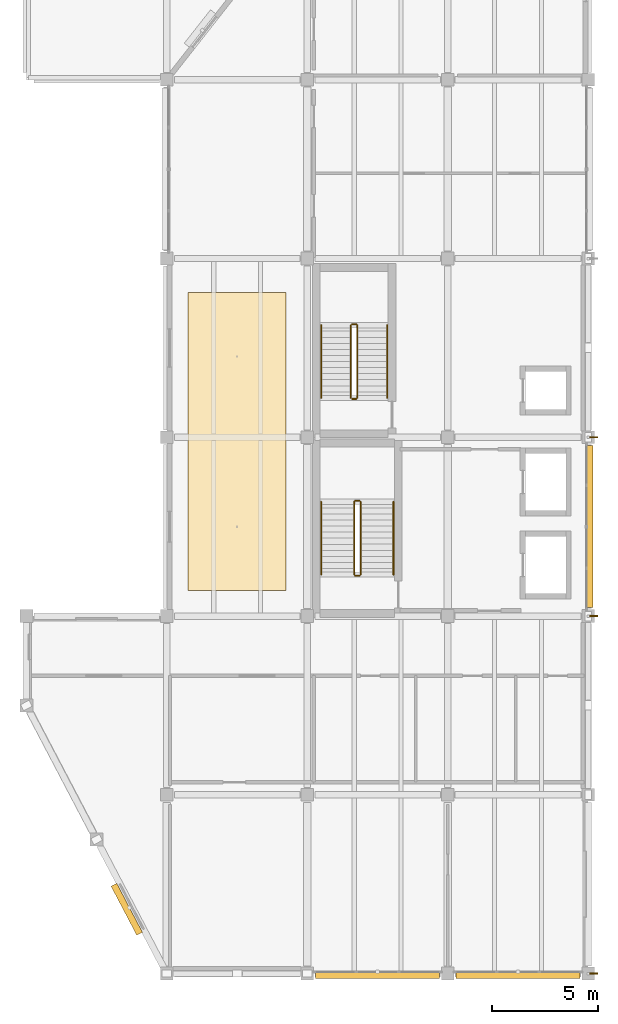
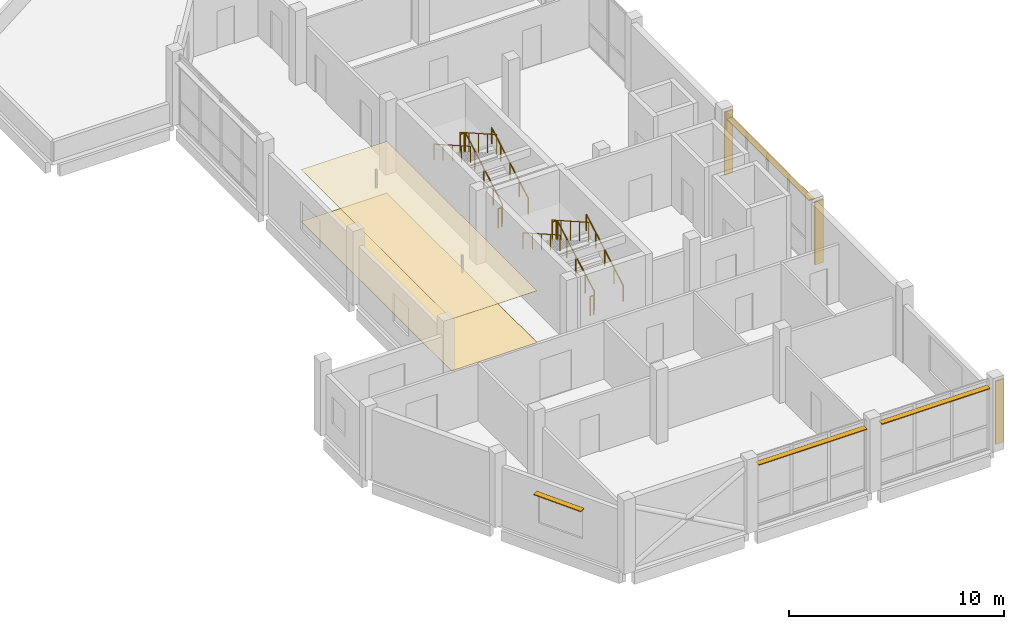
# One storey, part 11 of 12: 12 railings, 7 shading devices, 2 coverings.
"""IFC4 building model written with IfcOpenShell, lengths in metres."""

from ifc_helpers import new_model, si_unit, direction, frame, origin, origin_2d, place, context, subcontext, project, spatial, polyline, rectangle, circle, outline, extrude, material, layer, layer_set, type_object, element, save


model = new_model("IFC4")

# Units and contexts
model_context = context("Model", 3, precision=1e-05, world=origin(), true_north=direction((0.0, 1.0)))
body_context = subcontext(model_context, "Body", "Model", "MODEL_VIEW")
ifc_project = project(units=[si_unit("LENGTHUNIT", "METRE"), si_unit("AREAUNIT", "SQUARE_METRE"), si_unit("VOLUMEUNIT", "CUBIC_METRE"), si_unit("PLANEANGLEUNIT", "RADIAN"), si_unit("MASSUNIT", "GRAM", prefix="KILO")], contexts=[model_context])

# Site, building, storey
site_placement = place(None, origin())
site = spatial("IfcSite", under=ifc_project, at=site_placement, CompositionType="ELEMENT")
building_placement = place(site_placement, origin())
building = spatial("IfcBuilding", under=site, at=building_placement, Name="Qaldarim Faculty of Natural and Applied Sciences", CompositionType="ELEMENT")
storey_placement = place(building_placement, frame((0.0, 0.0, 31.199951171875)))
storey = spatial("IfcBuildingStorey", under=building, at=storey_placement, Name="L07", CompositionType="ELEMENT", Elevation=31.199951171875)

# Covering
ifc_material_1 = material(Name="Acoustic mineral fibre")
ifc_layer_1 = layer(ifc_material_1, 0.02001953125)
ifc_layer_set_1 = layer_set([ifc_layer_1], Name="Acoustic mineral fibre")
covering_type_1 = type_object("IfcCoveringType", Name="AcousticMineralCeiling-20", PredefinedType="CEILING", material=ifc_layer_set_1)
covering_1_placement = place(storey_placement, frame((0.0, 0.0, 2.949951171875)))
element("IfcCovering", 1, at=covering_1_placement, inside=storey, type_object=covering_type_1, Name="Acoustic corridor ceiling L07", PredefinedType="CEILING", context=body_context, shape_type="SweptSolid", body=[
    extrude(outline(polyline([(159.39990234375, 18.0), (164.0, 18.0), (164.0, 32.0), (159.39990234375, 32.0), (159.39990234375, 18.0)])), origin(), (0.0, 0.0, 1.0), 0.02001953125),
])

# Railings
ifc_material_2 = material(Name="Architectural stainless steel 316", Category="steel")
railing_type_1 = type_object("IfcRailingType", Name="GuardBalustrade-1100", PredefinedType="BALUSTRADE", material=ifc_material_2)
railing_1_placement = place(storey_placement, frame((167.5, 18.75, 0.16015625)))
element("IfcRailing", 2, at=railing_1_placement, inside=storey, type_object=railing_type_1, Name="ST-A1 L07 stair well guard 1", PredefinedType="BALUSTRADE", context=body_context, shape_type="SweptSolid", body=[
    extrude(circle(Radius=0.02392578125, at=origin_2d()), frame((0.0, 0.0, 1.076171875), z_axis=(0.0, 0.869805479697, 0.493394798806), x_axis=(-1.0, 0.0, 0.0)), (0.0, 0.0, 1.0), 3.931884765625),
    extrude(circle(Radius=0.02099609375, at=origin_2d()), origin(), (0.0, 0.0, 1.0), 1.052001953125),
    extrude(circle(Radius=0.02099609375, at=origin_2d()), frame((0.0, 0.85498046875, 0.48486328125)), (0.0, 0.0, 1.0), 1.052001953125),
    extrude(circle(Radius=0.02099609375, at=origin_2d()), frame((0.0, 1.7099609375, 0.969970703125)), (0.0, 0.0, 1.0), 1.052001953125),
    extrude(circle(Radius=0.02099609375, at=origin_2d()), frame((0.0, 2.56494140625, 1.455078125)), (0.0, 0.0, 1.0), 1.052001953125),
    extrude(circle(Radius=0.02099609375, at=origin_2d()), frame((0.0, 3.419921875, 1.93994140625)), (0.0, 0.0, 1.0), 1.052001953125),
])
railing_2_placement = place(storey_placement, frame((167.449951171875, 22.219970703125, 2.10009765625)))
element("IfcRailing", 3, at=railing_2_placement, inside=storey, type_object=railing_type_1, Name="ST-A1 L07 stair well guard 2", PredefinedType="BALUSTRADE", context=body_context, shape_type="SweptSolid", body=[
    extrude(circle(Radius=0.02392578125, at=origin_2d()), frame((0.0, 0.0, 1.076171875), z_axis=(-1.0, 0.0, 0.0), x_axis=(0.0, -1.0, 0.0)), (0.0, 0.0, 1.0), 0.199951171875),
    extrude(circle(Radius=0.02099609375, at=origin_2d()), origin(), (0.0, 0.0, 1.0), 1.052001953125),
    extrude(circle(Radius=0.02099609375, at=origin_2d()), frame((-0.199951171875, 0.0, 0.0)), (0.0, 0.0, 1.0), 1.052001953125),
])
railing_3_placement = place(storey_placement, frame((167.199951171875, 22.169921875, 2.260009765625)))
element("IfcRailing", 4, at=railing_3_placement, inside=storey, type_object=railing_type_1, Name="ST-A1 L07 stair well guard 3", PredefinedType="BALUSTRADE", context=body_context, shape_type="SweptSolid", body=[
    extrude(circle(Radius=0.02392578125, at=origin_2d()), frame((0.0, 0.0, 1.076171875), z_axis=(0.0, -0.869805479697, 0.493394798806), x_axis=(1.0, 0.0, 0.0)), (0.0, 0.0, 1.0), 3.931884765625),
    extrude(circle(Radius=0.02099609375, at=origin_2d()), origin(), (0.0, 0.0, 1.0), 1.052001953125),
    extrude(circle(Radius=0.02099609375, at=origin_2d()), frame((0.0, -0.85498046875, 0.48486328125)), (0.0, 0.0, 1.0), 1.052001953125),
    extrude(circle(Radius=0.02099609375, at=origin_2d()), frame((0.0, -1.7099609375, 0.969970703125)), (0.0, 0.0, 1.0), 1.052001953125),
    extrude(circle(Radius=0.02099609375, at=origin_2d()), frame((0.0, -2.56494140625, 1.455078125)), (0.0, 0.0, 1.0), 1.052001953125),
    extrude(circle(Radius=0.02099609375, at=origin_2d()), frame((0.0, -3.419921875, 1.93994140625)), (0.0, 0.0, 1.0), 1.052001953125),
])
railing_4_placement = place(storey_placement, frame((167.449951171875, 18.699951171875, 0.0)))
element("IfcRailing", 5, at=railing_4_placement, inside=storey, type_object=railing_type_1, Name="ST-A1 L07 stair well guard 4", PredefinedType="BALUSTRADE", context=body_context, shape_type="SweptSolid", body=[
    extrude(circle(Radius=0.02392578125, at=origin_2d()), frame((0.0, 0.0, 1.076171875), z_axis=(-1.0, 0.0, 0.0), x_axis=(0.0, -1.0, 0.0)), (0.0, 0.0, 1.0), 0.199951171875),
    extrude(circle(Radius=0.02099609375, at=origin_2d()), origin(), (0.0, 0.0, 1.0), 1.052001953125),
    extrude(circle(Radius=0.02099609375, at=origin_2d()), frame((-0.199951171875, 0.0, 0.0)), (0.0, 0.0, 1.0), 1.052001953125),
])
railing_5_placement = place(storey_placement, frame((167.35009765625, 27.050048828125, 0.16015625)))
element("IfcRailing", 6, at=railing_5_placement, inside=storey, type_object=railing_type_1, Name="ST-A2 L07 stair well guard 1", PredefinedType="BALUSTRADE", context=body_context, shape_type="SweptSolid", body=[
    extrude(circle(Radius=0.02392578125, at=origin_2d()), frame((0.0, 0.0, 1.076171875), z_axis=(0.0, 0.869805479697, 0.493394798806), x_axis=(-1.0, 0.0, 0.0)), (0.0, 0.0, 1.0), 3.931884765625),
    extrude(circle(Radius=0.02099609375, at=origin_2d()), origin(), (0.0, 0.0, 1.0), 1.052001953125),
    extrude(circle(Radius=0.02099609375, at=origin_2d()), frame((0.0, 0.85498046875, 0.48486328125)), (0.0, 0.0, 1.0), 1.052001953125),
    extrude(circle(Radius=0.02099609375, at=origin_2d()), frame((0.0, 1.7099609375, 0.969970703125)), (0.0, 0.0, 1.0), 1.052001953125),
    extrude(circle(Radius=0.02099609375, at=origin_2d()), frame((0.0, 2.56494140625, 1.455078125)), (0.0, 0.0, 1.0), 1.052001953125),
    extrude(circle(Radius=0.02099609375, at=origin_2d()), frame((0.0, 3.419921875, 1.93994140625)), (0.0, 0.0, 1.0), 1.052001953125),
])
railing_6_placement = place(storey_placement, frame((167.300048828125, 30.52001953125, 2.10009765625)))
element("IfcRailing", 7, at=railing_6_placement, inside=storey, type_object=railing_type_1, Name="ST-A2 L07 stair well guard 2", PredefinedType="BALUSTRADE", context=body_context, shape_type="SweptSolid", body=[
    extrude(circle(Radius=0.02392578125, at=origin_2d()), frame((0.0, 0.0, 1.076171875), z_axis=(-1.0, 0.0, 0.0), x_axis=(0.0, -1.0, 0.0)), (0.0, 0.0, 1.0), 0.199951171875),
    extrude(circle(Radius=0.02099609375, at=origin_2d()), origin(), (0.0, 0.0, 1.0), 1.052001953125),
    extrude(circle(Radius=0.02099609375, at=origin_2d()), frame((-0.199951171875, 0.0, 0.0)), (0.0, 0.0, 1.0), 1.052001953125),
])
railing_7_placement = place(storey_placement, frame((167.050048828125, 30.469970703125, 2.260009765625)))
element("IfcRailing", 8, at=railing_7_placement, inside=storey, type_object=railing_type_1, Name="ST-A2 L07 stair well guard 3", PredefinedType="BALUSTRADE", context=body_context, shape_type="SweptSolid", body=[
    extrude(circle(Radius=0.02392578125, at=origin_2d()), frame((0.0, 0.0, 1.076171875), z_axis=(0.0, -0.869805479697, 0.493394798806), x_axis=(1.0, 0.0, 0.0)), (0.0, 0.0, 1.0), 3.931884765625),
    extrude(circle(Radius=0.02099609375, at=origin_2d()), origin(), (0.0, 0.0, 1.0), 1.052001953125),
    extrude(circle(Radius=0.02099609375, at=origin_2d()), frame((0.0, -0.85498046875, 0.48486328125)), (0.0, 0.0, 1.0), 1.052001953125),
    extrude(circle(Radius=0.02099609375, at=origin_2d()), frame((0.0, -1.7099609375, 0.969970703125)), (0.0, 0.0, 1.0), 1.052001953125),
    extrude(circle(Radius=0.02099609375, at=origin_2d()), frame((0.0, -2.56494140625, 1.455078125)), (0.0, 0.0, 1.0), 1.052001953125),
    extrude(circle(Radius=0.02099609375, at=origin_2d()), frame((0.0, -3.419921875, 1.93994140625)), (0.0, 0.0, 1.0), 1.052001953125),
])
railing_8_placement = place(storey_placement, frame((167.300048828125, 27.0, 0.0)))
element("IfcRailing", 9, at=railing_8_placement, inside=storey, type_object=railing_type_1, Name="ST-A2 L07 stair well guard 4", PredefinedType="BALUSTRADE", context=body_context, shape_type="SweptSolid", body=[
    extrude(circle(Radius=0.02392578125, at=origin_2d()), frame((0.0, 0.0, 1.076171875), z_axis=(-1.0, 0.0, 0.0), x_axis=(0.0, -1.0, 0.0)), (0.0, 0.0, 1.0), 0.199951171875),
    extrude(circle(Radius=0.02099609375, at=origin_2d()), origin(), (0.0, 0.0, 1.0), 1.052001953125),
    extrude(circle(Radius=0.02099609375, at=origin_2d()), frame((-0.199951171875, 0.0, 0.0)), (0.0, 0.0, 1.0), 1.052001953125),
])

# Shading devices
ifc_material_3 = material(Name="Champagne anodised aluminium AW-6063", Category="aluminium")
ifc_layer_2 = layer(ifc_material_3, 0.050048828125)
ifc_layer_set_2 = layer_set([ifc_layer_2], Name="Champagne anodised aluminium AW-6063")
shading_device_type_1 = type_object("IfcShadingDeviceType", Name="SolarLouvre-ALU300x50", PredefinedType="JALOUSIE", material=ifc_layer_set_2)
for number, where, z_axis, x_axis, name in (
    (10, (168.300048828125, -0.070068359375, 3.60498046875), (0.0, 0.0, 1.0), (1.0, 0.0, 0.0), "Horizontal solar louvre L07 S X26Y01"),
    (11, (174.89990234375, -0.070068359375, 3.60498046875), (0.0, 0.0, 1.0), (1.0, 0.0, 0.0), "Horizontal solar louvre L07 S X27Y01"),
):
    element("IfcShadingDevice", number, at=place(storey_placement, frame(where, z_axis=z_axis, x_axis=x_axis)), inside=storey, type_object=shading_device_type_1, Name=name, PredefinedType="JALOUSIE", context=body_context, shape_type="SweptSolid", body=[
        extrude(rectangle(XDim=5.81005859375, YDim=0.300048828125, at=origin_2d()), origin(), (0.0, 0.0, 1.0), 0.050048828125),
    ])
shading_device_1_placement = place(storey_placement, frame((178.27001953125, 21.0, 3.60498046875), z_axis=(0.0, 0.0, 1.0), x_axis=(0.0, 1.0, 0.0)))
element("IfcShadingDevice", 12, at=shading_device_1_placement, inside=storey, type_object=shading_device_type_1, Name="Horizontal solar louvre L07 E X27Y03", PredefinedType="JALOUSIE", context=body_context, shape_type="SweptSolid", body=[
    extrude(rectangle(XDim=7.610107421875, YDim=0.300048828125, at=origin_2d()), origin(), (0.0, 0.0, 1.0), 0.050048828125),
])
shading_device_2_placement = place(storey_placement, frame((156.514892578125, 3.02490234375, 2.6748046875), z_axis=(0.0, 0.0, 1.0), x_axis=(0.46447113214, -0.885588260654, 0.0)))
element("IfcShadingDevice", 13, at=shading_device_2_placement, inside=storey, type_object=shading_device_type_1, Name="Oblique facade horizontal solar louvre SHD-OBL-SW-L07-2", PredefinedType="JALOUSIE", context=body_context, shape_type="SweptSolid", body=[
    extrude(rectangle(XDim=2.60009765625, YDim=0.300048828125, at=origin_2d()), origin(), (0.0, 0.0, 1.0), 0.050048828125),
])

# Railings
railing_type_2 = type_object("IfcRailingType", Name="StairHandrail-920", PredefinedType="HANDRAIL", material=ifc_material_2)
railing_9_placement = place(storey_placement, frame((169.050048828125, 18.75, 0.16015625)))
element("IfcRailing", 14, at=railing_9_placement, inside=storey, type_object=railing_type_2, Name="ST-A1 L07 stair handrail 1", PredefinedType="HANDRAIL", context=body_context, shape_type="SweptSolid", body=[
    extrude(circle(Radius=0.02392578125, at=origin_2d()), frame((0.0, 0.0, 0.89599609375), z_axis=(0.0, 0.869805479697, 0.493394798806), x_axis=(-1.0, 0.0, 0.0)), (0.0, 0.0, 1.0), 3.931884765625),
    extrude(circle(Radius=0.02099609375, at=origin_2d()), origin(), (0.0, 0.0, 1.0), 0.871826171875),
    extrude(circle(Radius=0.02099609375, at=origin_2d()), frame((0.0, 0.85498046875, 0.48486328125)), (0.0, 0.0, 1.0), 0.871826171875),
    extrude(circle(Radius=0.02099609375, at=origin_2d()), frame((0.0, 1.7099609375, 0.969970703125)), (0.0, 0.0, 1.0), 0.871826171875),
    extrude(circle(Radius=0.02099609375, at=origin_2d()), frame((0.0, 2.56494140625, 1.455078125)), (0.0, 0.0, 1.0), 0.871826171875),
    extrude(circle(Radius=0.02099609375, at=origin_2d()), frame((0.0, 3.419921875, 1.93994140625)), (0.0, 0.0, 1.0), 0.871826171875),
])
railing_10_placement = place(storey_placement, frame((165.64990234375, 22.169921875, 2.260009765625)))
element("IfcRailing", 15, at=railing_10_placement, inside=storey, type_object=railing_type_2, Name="ST-A1 L07 stair handrail 2", PredefinedType="HANDRAIL", context=body_context, shape_type="SweptSolid", body=[
    extrude(circle(Radius=0.02392578125, at=origin_2d()), frame((0.0, 0.0, 0.89599609375), z_axis=(0.0, -0.869805479697, 0.493394798806), x_axis=(1.0, 0.0, 0.0)), (0.0, 0.0, 1.0), 3.931884765625),
    extrude(circle(Radius=0.02099609375, at=origin_2d()), origin(), (0.0, 0.0, 1.0), 0.871826171875),
    extrude(circle(Radius=0.02099609375, at=origin_2d()), frame((0.0, -0.85498046875, 0.48486328125)), (0.0, 0.0, 1.0), 0.871826171875),
    extrude(circle(Radius=0.02099609375, at=origin_2d()), frame((0.0, -1.7099609375, 0.969970703125)), (0.0, 0.0, 1.0), 0.871826171875),
    extrude(circle(Radius=0.02099609375, at=origin_2d()), frame((0.0, -2.56494140625, 1.455078125)), (0.0, 0.0, 1.0), 0.871826171875),
    extrude(circle(Radius=0.02099609375, at=origin_2d()), frame((0.0, -3.419921875, 1.93994140625)), (0.0, 0.0, 1.0), 0.871826171875),
])
railing_11_placement = place(storey_placement, frame((168.75, 27.050048828125, 0.16015625)))
element("IfcRailing", 16, at=railing_11_placement, inside=storey, type_object=railing_type_2, Name="ST-A2 L07 stair handrail 1", PredefinedType="HANDRAIL", context=body_context, shape_type="SweptSolid", body=[
    extrude(circle(Radius=0.02392578125, at=origin_2d()), frame((0.0, 0.0, 0.89599609375), z_axis=(0.0, 0.869805479697, 0.493394798806), x_axis=(-1.0, 0.0, 0.0)), (0.0, 0.0, 1.0), 3.931884765625),
    extrude(circle(Radius=0.02099609375, at=origin_2d()), origin(), (0.0, 0.0, 1.0), 0.871826171875),
    extrude(circle(Radius=0.02099609375, at=origin_2d()), frame((0.0, 0.85498046875, 0.48486328125)), (0.0, 0.0, 1.0), 0.871826171875),
    extrude(circle(Radius=0.02099609375, at=origin_2d()), frame((0.0, 1.7099609375, 0.969970703125)), (0.0, 0.0, 1.0), 0.871826171875),
    extrude(circle(Radius=0.02099609375, at=origin_2d()), frame((0.0, 2.56494140625, 1.455078125)), (0.0, 0.0, 1.0), 0.871826171875),
    extrude(circle(Radius=0.02099609375, at=origin_2d()), frame((0.0, 3.419921875, 1.93994140625)), (0.0, 0.0, 1.0), 0.871826171875),
])
railing_12_placement = place(storey_placement, frame((165.64990234375, 30.469970703125, 2.260009765625)))
element("IfcRailing", 17, at=railing_12_placement, inside=storey, type_object=railing_type_2, Name="ST-A2 L07 stair handrail 2", PredefinedType="HANDRAIL", context=body_context, shape_type="SweptSolid", body=[
    extrude(circle(Radius=0.02392578125, at=origin_2d()), frame((0.0, 0.0, 0.89599609375), z_axis=(0.0, -0.869805479697, 0.493394798806), x_axis=(1.0, 0.0, 0.0)), (0.0, 0.0, 1.0), 3.931884765625),
    extrude(circle(Radius=0.02099609375, at=origin_2d()), origin(), (0.0, 0.0, 1.0), 0.871826171875),
    extrude(circle(Radius=0.02099609375, at=origin_2d()), frame((0.0, -0.85498046875, 0.48486328125)), (0.0, 0.0, 1.0), 0.871826171875),
    extrude(circle(Radius=0.02099609375, at=origin_2d()), frame((0.0, -1.7099609375, 0.969970703125)), (0.0, 0.0, 1.0), 0.871826171875),
    extrude(circle(Radius=0.02099609375, at=origin_2d()), frame((0.0, -2.56494140625, 1.455078125)), (0.0, 0.0, 1.0), 0.871826171875),
    extrude(circle(Radius=0.02099609375, at=origin_2d()), frame((0.0, -3.419921875, 1.93994140625)), (0.0, 0.0, 1.0), 0.871826171875),
])

# Covering
ifc_material_4 = material(Name="Terrazzo stone finish", Category="masonry")
ifc_layer_3 = layer(ifc_material_4, 0.02490234375)
ifc_layer_set_3 = layer_set([ifc_layer_3], Name="Terrazzo stone finish")
covering_type_2 = type_object("IfcCoveringType", Name="TerrazzoFlooring-25", PredefinedType="FLOORING", material=ifc_layer_set_3)
covering_2_placement = place(storey_placement, origin())
element("IfcCovering", 18, at=covering_2_placement, inside=storey, type_object=covering_type_2, Name="Polished terrazzo corridor flooring L07", PredefinedType="FLOORING", context=body_context, shape_type="SweptSolid", body=[
    extrude(outline(polyline([(159.39990234375, 18.0), (164.0, 18.0), (164.0, 32.0), (159.39990234375, 32.0), (159.39990234375, 18.0)])), origin(), (0.0, 0.0, 1.0), 0.025146484375),
])

# Shading devices
ifc_layer_4 = layer(ifc_material_3, 0.06005859375)
ifc_layer_set_4 = layer_set([ifc_layer_4], Name="Champagne anodised aluminium AW-6063")
shading_device_type_2 = type_object("IfcShadingDeviceType", Name="VerticalSunFin-ALU450x60", PredefinedType="SHUTTER", material=ifc_layer_set_4)
for number, where, z_axis, x_axis, name in (
    (19, (178.425048828125, 0.0, 0.199951171875), (0.0, 0.0, 1.0), (1.0, 0.0, 0.0), "Tower solar fin FIN-V5E-L07-Y01"),
    (20, (178.425048828125, 16.800048828125, 0.199951171875), (0.0, 0.0, 1.0), (1.0, 0.0, 0.0), "Tower solar fin FIN-V5E-L07-Y03"),
    (21, (178.425048828125, 25.199951171875, 0.199951171875), (0.0, 0.0, 1.0), (1.0, 0.0, 0.0), "Tower solar fin FIN-V5E-L07-Y04"),
):
    element("IfcShadingDevice", number, at=place(storey_placement, frame(where, z_axis=z_axis, x_axis=x_axis)), inside=storey, type_object=shading_device_type_2, Name=name, PredefinedType="SHUTTER", context=body_context, shape_type="SweptSolid", body=[
        extrude(rectangle(XDim=0.449951171875, YDim=0.06005859375, at=origin_2d()), origin(), (0.0, 0.0, 1.0), 3.580078125),
    ])

save(model, "model.ifc")
